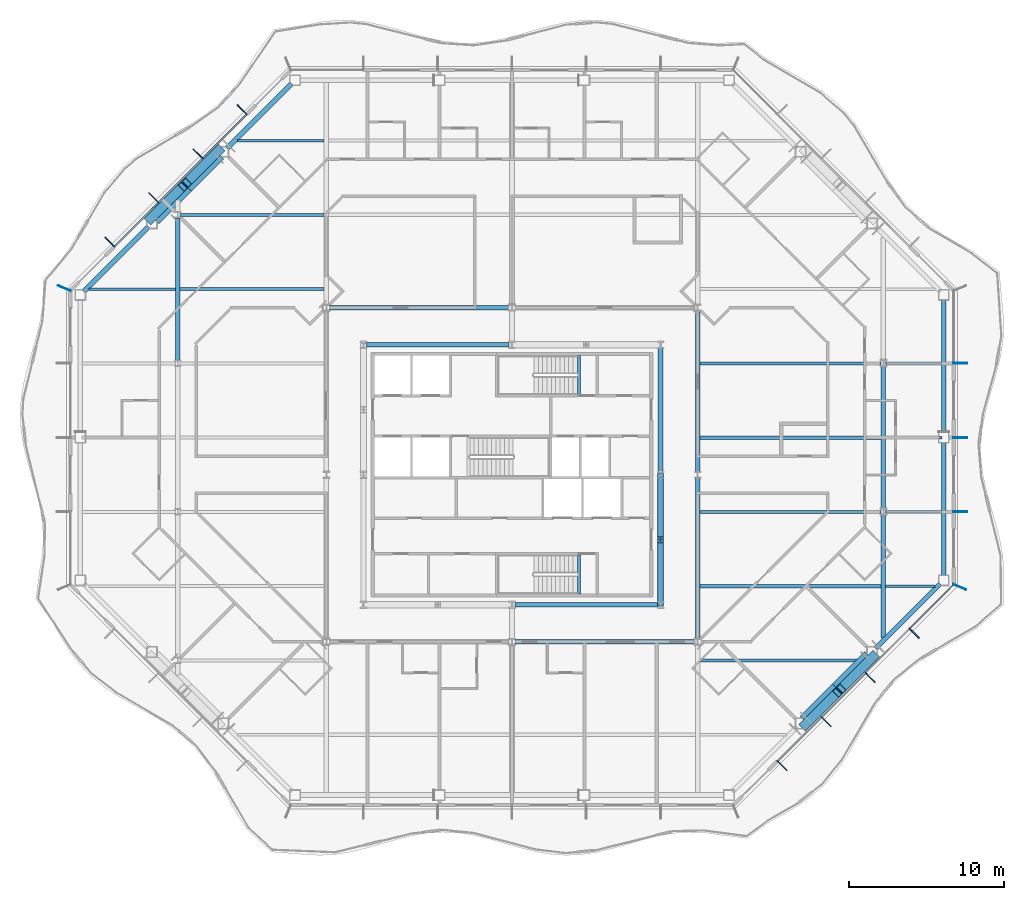
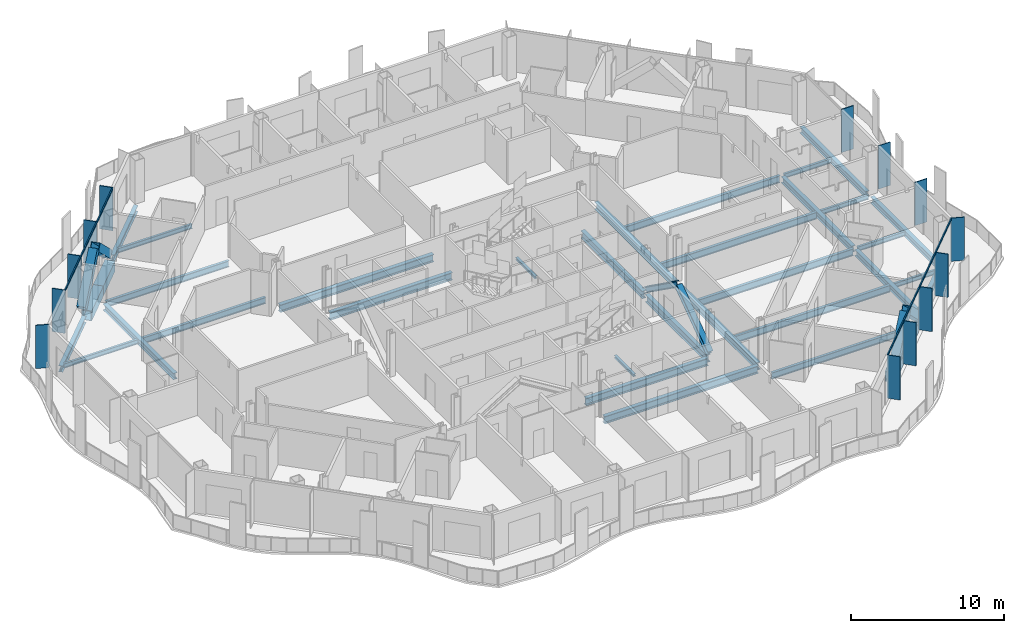
# One storey, part 4 of 21: 35 beams, 26 members, 4 elements without a shape of their own.
"""IFC4 building model written with IfcOpenShell, lengths in metres."""

from ifc_helpers import new_model, si_unit, direction, frame, origin, origin_2d, place, context, subcontext, project, spatial, rectangle, hollow_rectangle, i_section, extrude, material, material_profile, profile_set, type_object, element, aggregate, save


model = new_model("IFC4")

# Units and contexts
model_context = context("Model", 3, precision=1e-05, world=origin(), true_north=direction((0.0, 1.0)))
body_context = subcontext(model_context, "Body", "Model", "MODEL_VIEW")
ifc_project = project(units=[si_unit("LENGTHUNIT", "METRE"), si_unit("AREAUNIT", "SQUARE_METRE"), si_unit("VOLUMEUNIT", "CUBIC_METRE"), si_unit("PLANEANGLEUNIT", "RADIAN"), si_unit("MASSUNIT", "GRAM", prefix="KILO")], contexts=[model_context])

# Site, building, storey
site_placement = place(None, origin())
site = spatial("IfcSite", under=ifc_project, at=site_placement, CompositionType="ELEMENT")
building_placement = place(site_placement, origin())
building = spatial("IfcBuilding", under=site, at=building_placement, Name="Cairn Pilgrim Tower", CompositionType="ELEMENT")
storey_placement = place(building_placement, frame((0.0, 0.0, 136.199951171875)))
storey = spatial("IfcBuildingStorey", under=building, at=storey_placement, Name="L33", CompositionType="ELEMENT", Elevation=136.199951171875)

# Members
ifc_material_1 = material(Name="Structural steel S460M", Category="steel")
ifc_material_profile_1 = material_profile(ifc_material_1, hollow_rectangle(XDim=0.60009765625, YDim=0.60009765625, WallThickness=0.034912109375, at=origin_2d()), Name="BOX 600x600x35")
ifc_profile_set_1 = profile_set([ifc_material_profile_1], Name="Structural steel S460M")
member_type_1 = type_object("IfcMemberType", Name="BOX 600x600x35 BRACE", PredefinedType="BRACE", material=ifc_profile_set_1)
member_1_placement = place(storey_placement, frame((26.08837890625, -13.813720703125, 0.150146484375), z_axis=(0.53557713953, 0.53557713953, 0.652927450201), x_axis=(-0.707106781187, 0.707106781187, 0.0)))
element("IfcMember", 1, at=member_1_placement, inside=storey, type_object=member_type_1, Name="XB-SE2-SE3-1", PredefinedType="BRACE", context=body_context, shape_type="SweptSolid", body=[
    extrude(hollow_rectangle(XDim=0.60009765625, YDim=0.60009765625, WallThickness=0.034912109375, at=origin_2d()), origin(), (0.0, 0.0, 1.0), 4.0361328125),
])
for number, where, z_axis, x_axis, name in (
    (2, (30.613525390625, -9.288330078125, 0.150146484375), (-0.535533998665, -0.535594490476, 0.652948602913), (0.707146713802, -0.707066846316, 0.0), "XB-SE2-SE3-2"),
    (3, (-11.6884765625, 23.41357421875, 0.150146484375), (-0.535551349337, -0.535551349337, 0.652969757681), (0.707106781187, -0.707106781187, 0.0), "XB-NW2-NW3-1"),
    (4, (-16.213623046875, 18.888427734375, 0.150146484375), (0.535594490476, 0.535533998665, 0.652948602913), (-0.707066846316, 0.707146713802, 0.0), "XB-NW2-NW3-2"),
):
    element("IfcMember", number, at=place(storey_placement, frame(where, z_axis=z_axis, x_axis=x_axis)), inside=storey, type_object=member_type_1, Name=name, PredefinedType="BRACE", context=body_context, shape_type="SweptSolid", body=[
        extrude(hollow_rectangle(XDim=0.60009765625, YDim=0.60009765625, WallThickness=0.034912109375, at=origin_2d()), origin(), (0.0, 0.0, 1.0), 4.035888671875),
    ])

# Beams
ifc_material_2 = material(Name="Structural steel S355J2", Category="steel")
ifc_material_profile_2 = material_profile(ifc_material_2, hollow_rectangle(XDim=0.699951171875, YDim=0.800048828125, WallThickness=0.0400390625, at=origin_2d()), Name="BOX 700x800x40")
ifc_profile_set_2 = profile_set([ifc_material_profile_2], Name="Structural steel S355J2")
beam_type_1 = type_object("IfcBeamType", Name="BOX 700x800x40 RING GIRDER", PredefinedType="SPANDREL", material=ifc_profile_set_2)
for number, where, z_axis, x_axis, name in (
    (5, (26.07421875, -13.452880859375, -0.550048828125), (0.707106781187, 0.707106781187, 0.0), (-0.707106781187, 0.707106781187, 0.0), "RG2-SE2-SE3-1"),
    (6, (28.16357421875, -11.363525390625, -0.550048828125), (0.707106781187, 0.707106781187, 0.0), (-0.707106781187, 0.707106781187, 0.0), "RG2-SE2-SE3-2"),
    (7, (-11.67431640625, 23.052978515625, -0.550048828125), (-0.707106781187, -0.707106781187, 0.0), (0.707106781187, -0.707106781187, 0.0), "RG2-NW2-NW3-1"),
    (8, (-13.763671875, 20.963623046875, -0.550048828125), (-0.707106781187, -0.707106781187, 0.0), (0.707106781187, -0.707106781187, 0.0), "RG2-NW2-NW3-2"),
):
    element("IfcBeam", number, at=place(storey_placement, frame(where, z_axis=z_axis, x_axis=x_axis)), inside=storey, type_object=beam_type_1, Name=name, PredefinedType="SPANDREL", context=body_context, shape_type="SweptSolid", body=[
        extrude(hollow_rectangle(XDim=0.699951171875, YDim=0.800048828125, WallThickness=0.0400390625, at=origin_2d()), origin(), (0.0, 0.0, 1.0), 2.954833984375),
    ])

# Curtain wall, members
ifc_material_3 = material(Name="Aluminium alloy 6063-T6 bronze anodised with Bronze tinted laminated low-E glass 8+16+8.8", Category="aluminium")
curtain_wall_type_1 = type_object("IfcCurtainWallType", Name="CHAMFER CORNER CURTAIN WALL", PredefinedType="NOTDEFINED", material=ifc_material_3)
curtain_wall_1_placement = place(storey_placement, origin())
curtain_wall_1 = element("IfcCurtainWall", 9, at=curtain_wall_1_placement, inside=storey, type_object=curtain_wall_type_1, Name="Chamfer Corner Curtain Wall SE", PredefinedType="NOTDEFINED")
ifc_material_4 = material(Name="Aluminium alloy 6063-T6 bronze anodised", Category="aluminium")
ifc_material_profile_3 = material_profile(ifc_material_4, rectangle(XDim=0.89990234375, YDim=0.06005859375, at=origin_2d()), Name="FIN MULLION 60x900 BRONZE")
ifc_profile_set_3 = profile_set([ifc_material_profile_3], Name="Aluminium alloy 6063-T6 bronze anodised")
member_type_2 = type_object("IfcMemberType", Name="FIN MULLION 60x900 BRONZE", PredefinedType="MULLION", material=ifc_profile_set_3)
member_2_placement = place(storey_placement, frame((24.64404296875, -16.396240234375, 0.0), z_axis=(0.0, 0.0, 1.0), x_axis=(0.707106781187, -0.707106781187, 0.0)))
member_2 = element("IfcMember", 10, at=member_2_placement, type_object=member_type_2, Name="Fin mullion SE2", PredefinedType="MULLION", context=body_context, shape_type="SweptSolid", body=[
    extrude(rectangle(XDim=0.89990234375, YDim=0.06005859375, at=origin_2d()), origin(), (0.0, 0.0, 1.0), 3.449951171875),
])
member_3_placement = place(storey_placement, frame((27.494873046875, -13.545654296875, 0.0), z_axis=(0.0, 0.0, 1.0), x_axis=(0.707106781187, -0.707106781187, 0.0)))
member_3 = element("IfcMember", 11, at=member_3_placement, type_object=member_type_2, Name="Fin mullion SE3", PredefinedType="MULLION", context=body_context, shape_type="SweptSolid", body=[
    extrude(rectangle(XDim=0.89990234375, YDim=0.06005859375, at=origin_2d()), origin(), (0.0, 0.0, 1.0), 3.449951171875),
])
member_4_placement = place(storey_placement, frame((30.345458984375, -10.69482421875, 0.0), z_axis=(0.0, 0.0, 1.0), x_axis=(0.707106781187, -0.707106781187, 0.0)))
member_4 = element("IfcMember", 12, at=member_4_placement, type_object=member_type_2, Name="Fin mullion SE4", PredefinedType="MULLION", context=body_context, shape_type="SweptSolid", body=[
    extrude(rectangle(XDim=0.89990234375, YDim=0.06005859375, at=origin_2d()), origin(), (0.0, 0.0, 1.0), 3.449951171875),
])
member_5_placement = place(storey_placement, frame((33.1962890625, -7.84423828125, 0.0), z_axis=(0.0, 0.0, 1.0), x_axis=(0.707106781187, -0.707106781187, 0.0)))
member_5 = element("IfcMember", 13, at=member_5_placement, type_object=member_type_2, Name="Fin mullion SE5", PredefinedType="MULLION", context=body_context, shape_type="SweptSolid", body=[
    extrude(rectangle(XDim=0.89990234375, YDim=0.06005859375, at=origin_2d()), origin(), (0.0, 0.0, 1.0), 3.449951171875),
])

curtain_wall_type_2 = type_object("IfcCurtainWallType", Name="TOWER STICK CURTAIN WALL EW", PredefinedType="NOTDEFINED", material=ifc_material_3)
curtain_wall_2_placement = place(storey_placement, origin())
curtain_wall_2 = element("IfcCurtainWall", 14, at=curtain_wall_2_placement, inside=storey, type_object=curtain_wall_type_2, Name="Tower Stick Curtain Wall Ew E", PredefinedType="NOTDEFINED")
member_6_placement = place(storey_placement, frame((36.137939453125, -4.857177734375, 0.0), z_axis=(0.0, 0.0, 1.0), x_axis=(0.923879532511, -0.382683432365, 0.0)))
member_6 = element("IfcMember", 15, at=member_6_placement, type_object=member_type_2, Name="Fin mullion E1", PredefinedType="MULLION", context=body_context, shape_type="SweptSolid", body=[
    extrude(rectangle(XDim=0.89990234375, YDim=0.06005859375, at=origin_2d()), origin(), (0.0, 0.0, 1.0), 3.449951171875),
])
member_7_placement = place(storey_placement, frame((36.169921875, 0.0, 0.0), z_axis=(0.0, 0.0, 1.0), x_axis=(1.0, 0.0, 0.0)))
member_7 = element("IfcMember", 16, at=member_7_placement, type_object=member_type_2, Name="Fin mullion E2", PredefinedType="MULLION", context=body_context, shape_type="SweptSolid", body=[
    extrude(rectangle(XDim=0.89990234375, YDim=0.06005859375, at=origin_2d()), origin(), (0.0, 0.0, 1.0), 3.449951171875),
])
member_8_placement = place(storey_placement, frame((36.169921875, 4.800048828125, 0.0), z_axis=(0.0, 0.0, 1.0), x_axis=(1.0, 0.0, 0.0)))
member_8 = element("IfcMember", 17, at=member_8_placement, type_object=member_type_2, Name="Fin mullion E3", PredefinedType="MULLION", context=body_context, shape_type="SweptSolid", body=[
    extrude(rectangle(XDim=0.89990234375, YDim=0.06005859375, at=origin_2d()), origin(), (0.0, 0.0, 1.0), 3.449951171875),
])
member_9_placement = place(storey_placement, frame((36.169921875, 9.60009765625, 0.0), z_axis=(0.0, 0.0, 1.0), x_axis=(1.0, 0.0, 0.0)))
member_9 = element("IfcMember", 18, at=member_9_placement, type_object=member_type_2, Name="Fin mullion E4", PredefinedType="MULLION", context=body_context, shape_type="SweptSolid", body=[
    extrude(rectangle(XDim=0.89990234375, YDim=0.06005859375, at=origin_2d()), origin(), (0.0, 0.0, 1.0), 3.449951171875),
])
aggregate(curtain_wall_2, [member_6, member_7, member_8, member_9])

curtain_wall_3_placement = place(storey_placement, origin())
curtain_wall_3 = element("IfcCurtainWall", 19, at=curtain_wall_3_placement, inside=storey, type_object=curtain_wall_type_1, Name="Chamfer Corner Curtain Wall NW", PredefinedType="NOTDEFINED")
member_10_placement = place(storey_placement, frame((-10.244140625, 25.996337890625, 0.0), z_axis=(0.0, 0.0, 1.0), x_axis=(-0.707106781187, 0.707106781187, 0.0)))
member_10 = element("IfcMember", 20, at=member_10_placement, type_object=member_type_2, Name="Fin mullion NW2", PredefinedType="MULLION", context=body_context, shape_type="SweptSolid", body=[
    extrude(rectangle(XDim=0.89990234375, YDim=0.06005859375, at=origin_2d()), origin(), (0.0, 0.0, 1.0), 3.449951171875),
])
member_11_placement = place(storey_placement, frame((-13.094970703125, 23.1455078125, 0.0), z_axis=(0.0, 0.0, 1.0), x_axis=(-0.707106781187, 0.707106781187, 0.0)))
member_11 = element("IfcMember", 21, at=member_11_placement, type_object=member_type_2, Name="Fin mullion NW3", PredefinedType="MULLION", context=body_context, shape_type="SweptSolid", body=[
    extrude(rectangle(XDim=0.89990234375, YDim=0.06005859375, at=origin_2d()), origin(), (0.0, 0.0, 1.0), 3.449951171875),
])
member_12_placement = place(storey_placement, frame((-15.945556640625, 20.294921875, 0.0), z_axis=(0.0, 0.0, 1.0), x_axis=(-0.707106781187, 0.707106781187, 0.0)))
member_12 = element("IfcMember", 22, at=member_12_placement, type_object=member_type_2, Name="Fin mullion NW4", PredefinedType="MULLION", context=body_context, shape_type="SweptSolid", body=[
    extrude(rectangle(XDim=0.89990234375, YDim=0.06005859375, at=origin_2d()), origin(), (0.0, 0.0, 1.0), 3.449951171875),
])
member_13_placement = place(storey_placement, frame((-18.79638671875, 17.444091796875, 0.0), z_axis=(0.0, 0.0, 1.0), x_axis=(-0.707106781187, 0.707106781187, 0.0)))
member_13 = element("IfcMember", 23, at=member_13_placement, type_object=member_type_2, Name="Fin mullion NW5", PredefinedType="MULLION", context=body_context, shape_type="SweptSolid", body=[
    extrude(rectangle(XDim=0.89990234375, YDim=0.06005859375, at=origin_2d()), origin(), (0.0, 0.0, 1.0), 3.449951171875),
])

# Curtain wall, member
curtain_wall_4_placement = place(storey_placement, origin())
curtain_wall_4 = element("IfcCurtainWall", 24, at=curtain_wall_4_placement, inside=storey, type_object=curtain_wall_type_2, Name="Tower Stick Curtain Wall Ew W", PredefinedType="NOTDEFINED")
member_14_placement = place(storey_placement, frame((-21.738037109375, 14.457275390625, 0.0), z_axis=(0.0, 0.0, 1.0), x_axis=(-0.923879532511, 0.382683432365, 0.0)))
member_14 = element("IfcMember", 25, at=member_14_placement, type_object=member_type_2, Name="Fin mullion W1", PredefinedType="MULLION", context=body_context, shape_type="SweptSolid", body=[
    extrude(rectangle(XDim=0.89990234375, YDim=0.06005859375, at=origin_2d()), origin(), (0.0, 0.0, 1.0), 3.449951171875),
])
aggregate(curtain_wall_4, [member_14])

# Members
ifc_material_profile_4 = material_profile(ifc_material_1, i_section(OverallWidth=0.408935546875, OverallDepth=0.425048828125, WebThickness=0.03271484375, FlangeThickness=0.052490234375, FilletRadius=0.014892578125, at=origin_2d()), Name="HD 400x421")
ifc_profile_set_4 = profile_set([ifc_material_profile_4], Name="Structural steel S460M")
member_type_3 = type_object("IfcMemberType", Name="HD 400x421 BRACE", PredefinedType="BRACE", material=ifc_profile_set_4)
for number, where, z_axis, x_axis, name in (
    (26, (16.800048828125, -5.95751953125, 0.10009765625), (0.0, 0.814281054922, 0.58047081201), (-1.0, 0.0, 0.0), "KB-2A"),
    (27, (16.800048828125, 2.357666015625, 0.10009765625), (0.0, -0.814281054922, 0.58047081201), (1.0, 0.0, 0.0), "KB-2B"),
):
    element("IfcMember", number, at=place(storey_placement, frame(where, z_axis=z_axis, x_axis=x_axis)), inside=storey, type_object=member_type_3, Name=name, PredefinedType="BRACE", context=body_context, shape_type="SweptSolid", body=[
        extrude(i_section(OverallWidth=0.408935546875, OverallDepth=0.425048828125, WebThickness=0.03271484375, FlangeThickness=0.052490234375, FilletRadius=0.014892578125, at=origin_2d()), origin(), (0.0, 0.0, 1.0), 4.99755859375),
    ])

# Beams
ifc_material_profile_5 = material_profile(ifc_material_2, i_section(OverallWidth=0.300048828125, OverallDepth=0.5, WebThickness=0.014404296875, FlangeThickness=0.028076171875, FilletRadius=0.027099609375, at=origin_2d()), Name="HEB 500")
ifc_profile_set_5 = profile_set([ifc_material_profile_5], Name="Structural steel S355J2")
beam_type_2 = type_object("IfcBeamType", Name="HEB 500 GIRDER", PredefinedType="BEAM", material=ifc_profile_set_5)
beam_1_placement = place(storey_placement, frame((-14.39990234375, 9.799560546875, -0.39990234375), z_axis=(0.0, 1.0, 0.0), x_axis=(-1.0, 0.0, 0.0)))
element("IfcBeam", 28, at=beam_1_placement, inside=storey, type_object=beam_type_2, Name="PG1-3", PredefinedType="BEAM", context=body_context, shape_type="SweptSolid", body=[
    extrude(i_section(OverallWidth=0.300048828125, OverallDepth=0.5, WebThickness=0.014404296875, FlangeThickness=0.028076171875, FilletRadius=0.027099609375, at=origin_2d()), origin(), (0.0, 0.0, 1.0), 9.200927734375),
])
beam_2_placement = place(storey_placement, frame((31.199951171875, -8.14501953125, -0.39990234375), z_axis=(0.0, 1.0, 0.0), x_axis=(-1.0, 0.0, 0.0)))
element("IfcBeam", 29, at=beam_2_placement, inside=storey, type_object=beam_type_2, Name="PG5-1", PredefinedType="BEAM", context=body_context, shape_type="SweptSolid", body=[
    extrude(i_section(OverallWidth=0.300048828125, OverallDepth=0.5, WebThickness=0.014404296875, FlangeThickness=0.028076171875, FilletRadius=0.027099609375, at=origin_2d()), origin(), (0.0, 0.0, 1.0), 7.9404296875),
])
beam_3_placement = place(storey_placement, frame((31.199951171875, 0.20458984375, -0.39990234375), z_axis=(0.0, 1.0, 0.0), x_axis=(-1.0, 0.0, 0.0)))
element("IfcBeam", 30, at=beam_3_placement, inside=storey, type_object=beam_type_2, Name="PG5-2", PredefinedType="BEAM", context=body_context, shape_type="SweptSolid", body=[
    extrude(i_section(OverallWidth=0.300048828125, OverallDepth=0.5, WebThickness=0.014404296875, FlangeThickness=0.028076171875, FilletRadius=0.027099609375, at=origin_2d()), origin(), (0.0, 0.0, 1.0), 9.19091796875),
])
ifc_material_profile_6 = material_profile(ifc_material_2, i_section(OverallWidth=0.300048828125, OverallDepth=0.5, WebThickness=0.014404296875, FlangeThickness=0.028076171875, FilletRadius=0.027099609375, at=origin_2d()), Name="HEB 500")
ifc_profile_set_6 = profile_set([ifc_material_profile_6], Name="Structural steel S355J2")
beam_type_3 = type_object("IfcBeamType", Name="HEB 500 RING GIRDER", PredefinedType="SPANDREL", material=ifc_profile_set_6)
beam_4_placement = place(storey_placement, frame((30.698486328125, -8.82861328125, -0.39990234375), z_axis=(0.707106781187, 0.707106781187, 0.0), x_axis=(-0.707106781187, 0.707106781187, 0.0)))
element("IfcBeam", 31, at=beam_4_placement, inside=storey, type_object=beam_type_3, Name="RG2-SE3-E1", PredefinedType="SPANDREL", context=body_context, shape_type="SweptSolid", body=[
    extrude(i_section(OverallWidth=0.300048828125, OverallDepth=0.5, WebThickness=0.014404296875, FlangeThickness=0.028076171875, FilletRadius=0.027099609375, at=origin_2d()), origin(), (0.0, 0.0, 1.0), 5.90966796875),
])
beam_5_placement = place(storey_placement, frame((35.10009765625, -4.1123046875, -0.39990234375), z_axis=(0.0, 1.0, 0.0), x_axis=(-1.0, 0.0, 0.0)))
element("IfcBeam", 32, at=beam_5_placement, inside=storey, type_object=beam_type_3, Name="RG2-E1-E2", PredefinedType="SPANDREL", context=body_context, shape_type="SweptSolid", body=[
    extrude(i_section(OverallWidth=0.300048828125, OverallDepth=0.5, WebThickness=0.014404296875, FlangeThickness=0.028076171875, FilletRadius=0.027099609375, at=origin_2d()), origin(), (0.0, 0.0, 1.0), 8.597412109375),
])
beam_6_placement = place(storey_placement, frame((35.10009765625, 5.114990234375, -0.39990234375), z_axis=(0.0, 1.0, 0.0), x_axis=(-1.0, 0.0, 0.0)))
element("IfcBeam", 33, at=beam_6_placement, inside=storey, type_object=beam_type_3, Name="RG2-E2-NE1", PredefinedType="SPANDREL", context=body_context, shape_type="SweptSolid", body=[
    extrude(i_section(OverallWidth=0.300048828125, OverallDepth=0.5, WebThickness=0.014404296875, FlangeThickness=0.028076171875, FilletRadius=0.027099609375, at=origin_2d()), origin(), (0.0, 0.0, 1.0), 8.59716796875),
])
for number, where, z_axis, x_axis, name in (
    (34, (-7.0498046875, 27.67724609375, -0.39990234375), (-0.707127436591, -0.707086125179, 0.0), (0.707086125179, -0.707127436591, 0.0), "RG2-NW1-NW2"),
    (35, (-16.298583984375, 18.4287109375, -0.39990234375), (-0.707106781187, -0.707106781187, 0.0), (0.707106781187, -0.707106781187, 0.0), "RG2-NW3-W1"),
):
    element("IfcBeam", number, at=place(storey_placement, frame(where, z_axis=z_axis, x_axis=x_axis)), inside=storey, type_object=beam_type_3, Name=name, PredefinedType="SPANDREL", context=body_context, shape_type="SweptSolid", body=[
        extrude(i_section(OverallWidth=0.300048828125, OverallDepth=0.5, WebThickness=0.014404296875, FlangeThickness=0.028076171875, FilletRadius=0.027099609375, at=origin_2d()), origin(), (0.0, 0.0, 1.0), 5.90966796875),
    ])
ifc_material_profile_7 = material_profile(ifc_material_2, i_section(OverallWidth=0.300048828125, OverallDepth=0.60009765625, WebThickness=0.015380859375, FlangeThickness=0.030029296875, FilletRadius=0.027099609375, at=origin_2d()), Name="HEB 600")
ifc_profile_set_7 = profile_set([ifc_material_profile_7], Name="Structural steel S355J2")
beam_type_4 = type_object("IfcBeamType", Name="HEB 600 CORE BEAM", PredefinedType="BEAM", material=ifc_profile_set_7)
beam_7_placement = place(storey_placement, frame((7.390869140625, -6.0, -0.449951171875), z_axis=(1.0, 0.0, 0.0), x_axis=(0.0, 1.0, 0.0)))
element("IfcBeam", 36, at=beam_7_placement, inside=storey, type_object=beam_type_4, Name="CB-2", PredefinedType="BEAM", context=body_context, shape_type="SweptSolid", body=[
    extrude(i_section(OverallWidth=0.300048828125, OverallDepth=0.60009765625, WebThickness=0.015380859375, FlangeThickness=0.030029296875, FilletRadius=0.027099609375, at=origin_2d()), origin(), (0.0, 0.0, 1.0), 9.21826171875),
])
for number, where, z_axis, x_axis, name in (
    (37, (16.800048828125, -5.80908203125, -0.449951171875), (0.0, 1.0, 0.0), (-1.0, 0.0, 0.0), "CB-3"),
    (38, (16.800048828125, 2.5908203125, -0.449951171875), (0.0, 1.0, 0.0), (-1.0, 0.0, 0.0), "CB-4"),
):
    element("IfcBeam", number, at=place(storey_placement, frame(where, z_axis=z_axis, x_axis=x_axis)), inside=storey, type_object=beam_type_4, Name=name, PredefinedType="BEAM", context=body_context, shape_type="SweptSolid", body=[
        extrude(i_section(OverallWidth=0.300048828125, OverallDepth=0.60009765625, WebThickness=0.015380859375, FlangeThickness=0.030029296875, FilletRadius=0.027099609375, at=origin_2d()), origin(), (0.0, 0.0, 1.0), 8.018310546875),
    ])
beam_8_placement = place(storey_placement, frame((7.00927734375, 10.800048828125, -0.449951171875), z_axis=(-1.0, 0.0, 0.0), x_axis=(0.0, -1.0, 0.0)))
element("IfcBeam", 39, at=beam_8_placement, inside=storey, type_object=beam_type_4, Name="CB-6", PredefinedType="BEAM", context=body_context, shape_type="SweptSolid", body=[
    extrude(i_section(OverallWidth=0.300048828125, OverallDepth=0.60009765625, WebThickness=0.015380859375, FlangeThickness=0.030029296875, FilletRadius=0.027099609375, at=origin_2d()), origin(), (0.0, 0.0, 1.0), 9.218505859375),
])
ifc_material_profile_8 = material_profile(ifc_material_2, i_section(OverallWidth=0.300048828125, OverallDepth=0.60009765625, WebThickness=0.015380859375, FlangeThickness=0.030029296875, FilletRadius=0.027099609375, at=origin_2d()), Name="HEB 600")
ifc_profile_set_8 = profile_set([ifc_material_profile_8], Name="Structural steel S355J2")
beam_type_5 = type_object("IfcBeamType", Name="HEB 600 GIRDER", PredefinedType="BEAM", material=ifc_profile_set_8)
for number, where, z_axis, x_axis, name in (
    (40, (19.199951171875, -8.195556640625, -0.449951171875), (0.0, 1.0, 0.0), (-1.0, 0.0, 0.0), "PG4-2"),
    (41, (19.199951171875, 2.6044921875, -0.449951171875), (0.0, 1.0, 0.0), (-1.0, 0.0, 0.0), "PG4-3"),
):
    element("IfcBeam", number, at=place(storey_placement, frame(where, z_axis=z_axis, x_axis=x_axis)), inside=storey, type_object=beam_type_5, Name=name, PredefinedType="BEAM", context=body_context, shape_type="SweptSolid", body=[
        extrude(i_section(OverallWidth=0.300048828125, OverallDepth=0.60009765625, WebThickness=0.015380859375, FlangeThickness=0.030029296875, FilletRadius=0.027099609375, at=origin_2d()), origin(), (0.0, 0.0, 1.0), 10.39111328125),
    ])
ifc_material_profile_9 = material_profile(ifc_material_2, i_section(OverallWidth=0.300048828125, OverallDepth=0.60009765625, WebThickness=0.015380859375, FlangeThickness=0.030029296875, FilletRadius=0.027099609375, at=origin_2d()), Name="HEB 600")
ifc_profile_set_9 = profile_set([ifc_material_profile_9], Name="Structural steel S355J2")
beam_type_6 = type_object("IfcBeamType", Name="HEB 600 INNER GIRDER", PredefinedType="BEAM", material=ifc_profile_set_9)
for number, where, z_axis, x_axis, name in (
    (42, (7.404541015625, -8.39990234375, -0.449951171875), (1.0, 0.0, 0.0), (0.0, 1.0, 0.0), "IG1-2"),
    (43, (-4.595458984375, 13.199951171875, -0.449951171875), (1.0, 0.0, 0.0), (0.0, 1.0, 0.0), "IG2-1"),
):
    element("IfcBeam", number, at=place(storey_placement, frame(where, z_axis=z_axis, x_axis=x_axis)), inside=storey, type_object=beam_type_6, Name=name, PredefinedType="BEAM", context=body_context, shape_type="SweptSolid", body=[
        extrude(i_section(OverallWidth=0.300048828125, OverallDepth=0.60009765625, WebThickness=0.015380859375, FlangeThickness=0.030029296875, FilletRadius=0.027099609375, at=origin_2d()), origin(), (0.0, 0.0, 1.0), 11.591064453125),
    ])
ifc_material_profile_10 = material_profile(ifc_material_2, i_section(OverallWidth=0.169921875, OverallDepth=0.360107421875, WebThickness=0.008056640625, FlangeThickness=0.0126953125, FilletRadius=0.01806640625, at=origin_2d()), Name="IPE 360")
ifc_profile_set_10 = profile_set([ifc_material_profile_10], Name="Structural steel S355J2")
beam_type_7 = type_object("IfcBeamType", Name="IPE 360 SECONDARY BEAM", PredefinedType="JOIST", material=ifc_profile_set_10)
beam_9_placement = place(storey_placement, frame((31.35009765625, -4.800048828125, -0.329833984375), z_axis=(1.0, 0.0, 0.0), x_axis=(0.0, 1.0, 0.0)))
element("IfcBeam", 44, at=beam_9_placement, inside=storey, type_object=beam_type_7, Name="SB3-4", PredefinedType="JOIST", context=body_context, shape_type="SweptSolid", body=[
    extrude(i_section(OverallWidth=0.169921875, OverallDepth=0.360107421875, WebThickness=0.008056640625, FlangeThickness=0.0126953125, FilletRadius=0.01806640625, at=origin_2d()), origin(), (0.0, 0.0, 1.0), 3.195068359375),
])
for number, where, z_axis, x_axis, name in (
    (45, (31.35009765625, 0.0, -0.329833984375), (1.0, 0.0, 0.0), (0.0, 1.0, 0.0), "SB4-4"),
    (46, (31.35009765625, 4.800048828125, -0.329833984375), (1.0, 0.0, 0.0), (0.0, 1.0, 0.0), "SB5-4"),
    (47, (31.35009765625, 9.60009765625, -0.329833984375), (1.0, 0.0, 0.0), (0.0, 1.0, 0.0), "SB6-4"),
):
    element("IfcBeam", number, at=place(storey_placement, frame(where, z_axis=z_axis, x_axis=x_axis)), inside=storey, type_object=beam_type_7, Name=name, PredefinedType="JOIST", context=body_context, shape_type="SweptSolid", body=[
        extrude(i_section(OverallWidth=0.169921875, OverallDepth=0.360107421875, WebThickness=0.008056640625, FlangeThickness=0.0126953125, FilletRadius=0.01806640625, at=origin_2d()), origin(), (0.0, 0.0, 1.0), 3.6298828125),
    ])
beam_10_placement = place(storey_placement, frame((-20.14501953125, 14.39990234375, -0.329833984375), z_axis=(1.0, 0.0, 0.0), x_axis=(0.0, 1.0, 0.0)))
element("IfcBeam", 48, at=beam_10_placement, inside=storey, type_object=beam_type_7, Name="SB7-1", PredefinedType="JOIST", context=body_context, shape_type="SweptSolid", body=[
    extrude(i_section(OverallWidth=0.169921875, OverallDepth=0.360107421875, WebThickness=0.008056640625, FlangeThickness=0.0126953125, FilletRadius=0.01806640625, at=origin_2d()), origin(), (0.0, 0.0, 1.0), 5.594970703125),
])
beam_11_placement = place(storey_placement, frame((-10.545166015625, 24.0, -0.329833984375), z_axis=(1.0, 0.0, 0.0), x_axis=(0.0, 1.0, 0.0)))
element("IfcBeam", 49, at=beam_11_placement, inside=storey, type_object=beam_type_7, Name="SB9-1", PredefinedType="JOIST", context=body_context, shape_type="SweptSolid", body=[
    extrude(i_section(OverallWidth=0.169921875, OverallDepth=0.360107421875, WebThickness=0.008056640625, FlangeThickness=0.0126953125, FilletRadius=0.01806640625, at=origin_2d()), origin(), (0.0, 0.0, 1.0), 5.59521484375),
])
ifc_material_profile_11 = material_profile(ifc_material_2, i_section(OverallWidth=0.199951171875, OverallDepth=0.5, WebThickness=0.01025390625, FlangeThickness=0.01611328125, FilletRadius=0.02099609375, at=origin_2d()), Name="IPE 500")
ifc_profile_set_11 = profile_set([ifc_material_profile_11], Name="Structural steel S355J2")
beam_type_8 = type_object("IfcBeamType", Name="IPE 500 SECONDARY BEAM", PredefinedType="JOIST", material=ifc_profile_set_11)
beam_12_placement = place(storey_placement, frame((19.35009765625, -9.60009765625, -0.39990234375), z_axis=(1.0, 0.0, 0.0), x_axis=(0.0, 1.0, 0.0)))
element("IfcBeam", 50, at=beam_12_placement, inside=storey, type_object=beam_type_8, Name="SB2-2", PredefinedType="JOIST", context=body_context, shape_type="SweptSolid", body=[
    extrude(i_section(OverallWidth=0.199951171875, OverallDepth=0.5, WebThickness=0.01025390625, FlangeThickness=0.01611328125, FilletRadius=0.02099609375, at=origin_2d()), origin(), (0.0, 0.0, 1.0), 10.39501953125),
])
for number, where, z_axis, x_axis, name in (
    (51, (-14.25, 14.39990234375, -0.39990234375), (1.0, 0.0, 0.0), (0.0, 1.0, 0.0), "SB7-2"),
    (52, (-14.25, 19.199951171875, -0.39990234375), (1.0, 0.0, 0.0), (0.0, 1.0, 0.0), "SB8-1"),
):
    element("IfcBeam", number, at=place(storey_placement, frame(where, z_axis=z_axis, x_axis=x_axis)), inside=storey, type_object=beam_type_8, Name=name, PredefinedType="JOIST", context=body_context, shape_type="SweptSolid", body=[
        extrude(i_section(OverallWidth=0.199951171875, OverallDepth=0.5, WebThickness=0.01025390625, FlangeThickness=0.01611328125, FilletRadius=0.02099609375, at=origin_2d()), origin(), (0.0, 0.0, 1.0), 9.300048828125),
    ])
ifc_material_profile_12 = material_profile(ifc_material_2, i_section(OverallWidth=0.2099609375, OverallDepth=0.550048828125, WebThickness=0.010986328125, FlangeThickness=0.01708984375, FilletRadius=0.02392578125, at=origin_2d()), Name="IPE 550")
ifc_profile_set_12 = profile_set([ifc_material_profile_12], Name="Structural steel S355J2")
beam_type_9 = type_object("IfcBeamType", Name="IPE 550 SECONDARY BEAM", PredefinedType="JOIST", material=ifc_profile_set_12)
for number, where, z_axis, x_axis, name in (
    (53, (19.35009765625, -4.800048828125, -0.425048828125), (1.0, 0.0, 0.0), (0.0, 1.0, 0.0), "SB3-3"),
    (54, (19.35009765625, 0.0, -0.425048828125), (1.0, 0.0, 0.0), (0.0, 1.0, 0.0), "SB4-3"),
    (55, (19.35009765625, 4.800048828125, -0.425048828125), (1.0, 0.0, 0.0), (0.0, 1.0, 0.0), "SB5-3"),
    (56, (19.35009765625, 9.60009765625, -0.425048828125), (1.0, 0.0, 0.0), (0.0, 1.0, 0.0), "SB6-3"),
):
    element("IfcBeam", number, at=place(storey_placement, frame(where, z_axis=z_axis, x_axis=x_axis)), inside=storey, type_object=beam_type_9, Name=name, PredefinedType="JOIST", context=body_context, shape_type="SweptSolid", body=[
        extrude(i_section(OverallWidth=0.2099609375, OverallDepth=0.550048828125, WebThickness=0.010986328125, FlangeThickness=0.01708984375, FilletRadius=0.02392578125, at=origin_2d()), origin(), (0.0, 0.0, 1.0), 11.699951171875),
    ])
ifc_material_profile_13 = material_profile(ifc_material_2, i_section(OverallWidth=0.199951171875, OverallDepth=0.199951171875, WebThickness=0.009033203125, FlangeThickness=0.014892578125, FilletRadius=0.01806640625, at=origin_2d()), Name="HE 200 B")
ifc_profile_set_13 = profile_set([ifc_material_profile_13], Name="Structural steel S355J2")
beam_type_10 = type_object("IfcBeamType", Name="STAIR LANDING BEAM HE 200 B", PredefinedType="BEAM", material=ifc_profile_set_13)
for number, where, z_axis, x_axis, name in (
    (57, (11.5244140625, -2.77490234375, -0.25), (0.0, -1.0, 0.0), (1.0, 0.0, 0.0), "STAIR LANDING BEAM LD-HE200B"),
    (58, (11.5244140625, 10.10009765625, -0.25), (0.0, -1.0, 0.0), (1.0, 0.0, 0.0), "STAIR LANDING BEAM LD-HE200B"),
):
    element("IfcBeam", number, at=place(storey_placement, frame(where, z_axis=z_axis, x_axis=x_axis)), inside=storey, type_object=beam_type_10, Name=name, PredefinedType="BEAM", context=body_context, shape_type="SweptSolid", body=[
        extrude(i_section(OverallWidth=0.199951171875, OverallDepth=0.199951171875, WebThickness=0.009033203125, FlangeThickness=0.014892578125, FilletRadius=0.01806640625, at=origin_2d()), origin(), (0.0, 0.0, 1.0), 2.525146484375),
    ])

# Member
ifc_material_profile_14 = material_profile(ifc_material_4, rectangle(XDim=0.080078125, YDim=0.14990234375, at=origin_2d()), Name="TRANSOM 80x150 BRONZE")
ifc_profile_set_14 = profile_set([ifc_material_profile_14], Name="Aluminium alloy 6063-T6 bronze anodised")
member_type_4 = type_object("IfcMemberType", Name="TRANSOM 80x150 BRONZE", PredefinedType="USERDEFINED", material=ifc_profile_set_14)
member_15_placement = place(storey_placement, frame((24.368408203125, -16.078125, 3.375), z_axis=(0.707106781187, 0.707106781187, 0.0), x_axis=(-0.707106781187, 0.707106781187, 0.0)))
member_15 = element("IfcMember", 59, at=member_15_placement, type_object=member_type_4, Name="Transom SE2", ObjectType="TRANSOM", PredefinedType="USERDEFINED", context=body_context, shape_type="SweptSolid", body=[
    extrude(rectangle(XDim=0.080078125, YDim=0.14990234375, at=origin_2d()), origin(), (0.0, 0.0, 1.0), 3.9716796875),
])

member_16_placement = place(storey_placement, frame((27.218994140625, -13.227294921875, 3.375), z_axis=(0.70713751761, 0.707076043427, 0.0), x_axis=(-0.707076043427, 0.70713751761, 0.0)))
member_16 = element("IfcMember", 60, at=member_16_placement, type_object=member_type_4, Name="Transom SE3", ObjectType="TRANSOM", PredefinedType="USERDEFINED", context=body_context, shape_type="SweptSolid", body=[
    extrude(rectangle(XDim=0.080078125, YDim=0.14990234375, at=origin_2d()), origin(), (0.0, 0.0, 1.0), 3.971435546875),
])

member_17_placement = place(storey_placement, frame((30.06982421875, -10.376708984375, 3.375), z_axis=(0.707106781187, 0.707106781187, 0.0), x_axis=(-0.707106781187, 0.707106781187, 0.0)))
member_17 = element("IfcMember", 61, at=member_17_placement, type_object=member_type_4, Name="Transom SE4", ObjectType="TRANSOM", PredefinedType="USERDEFINED", context=body_context, shape_type="SweptSolid", body=[
    extrude(rectangle(XDim=0.080078125, YDim=0.14990234375, at=origin_2d()), origin(), (0.0, 0.0, 1.0), 3.9716796875),
])

member_18_placement = place(storey_placement, frame((32.92041015625, -7.52587890625, 3.375), z_axis=(0.707106781187, 0.707106781187, 0.0), x_axis=(-0.707106781187, 0.707106781187, 0.0)))
member_18 = element("IfcMember", 62, at=member_18_placement, type_object=member_type_4, Name="Transom SE5", ObjectType="TRANSOM", PredefinedType="USERDEFINED", context=body_context, shape_type="SweptSolid", body=[
    extrude(rectangle(XDim=0.080078125, YDim=0.14990234375, at=origin_2d()), origin(), (0.0, 0.0, 1.0), 3.961669921875),
])

aggregate(curtain_wall_1, [member_2, member_3, member_4, member_5, member_15, member_16, member_17, member_18])

member_19_placement = place(storey_placement, frame((-9.96826171875, 25.677978515625, 3.375), z_axis=(-0.70713751761, -0.707076043427, 0.0), x_axis=(0.707076043427, -0.70713751761, 0.0)))
member_19 = element("IfcMember", 63, at=member_19_placement, type_object=member_type_4, Name="Transom NW2", ObjectType="TRANSOM", PredefinedType="USERDEFINED", context=body_context, shape_type="SweptSolid", body=[
    extrude(rectangle(XDim=0.080078125, YDim=0.14990234375, at=origin_2d()), origin(), (0.0, 0.0, 1.0), 3.971435546875),
])

member_20_placement = place(storey_placement, frame((-12.819091796875, 22.827392578125, 3.375), z_axis=(-0.707106781187, -0.707106781187, 0.0), x_axis=(0.707106781187, -0.707106781187, 0.0)))
member_20 = element("IfcMember", 64, at=member_20_placement, type_object=member_type_4, Name="Transom NW3", ObjectType="TRANSOM", PredefinedType="USERDEFINED", context=body_context, shape_type="SweptSolid", body=[
    extrude(rectangle(XDim=0.080078125, YDim=0.14990234375, at=origin_2d()), origin(), (0.0, 0.0, 1.0), 3.9716796875),
])

member_21_placement = place(storey_placement, frame((-15.669677734375, 19.9765625, 3.375), z_axis=(-0.70713751761, -0.707076043427, 0.0), x_axis=(0.707076043427, -0.70713751761, 0.0)))
member_21 = element("IfcMember", 65, at=member_21_placement, type_object=member_type_4, Name="Transom NW4", ObjectType="TRANSOM", PredefinedType="USERDEFINED", context=body_context, shape_type="SweptSolid", body=[
    extrude(rectangle(XDim=0.080078125, YDim=0.14990234375, at=origin_2d()), origin(), (0.0, 0.0, 1.0), 3.971435546875),
])

aggregate(curtain_wall_3, [member_10, member_11, member_12, member_13, member_19, member_20, member_21])

save(model, "model.ifc")
